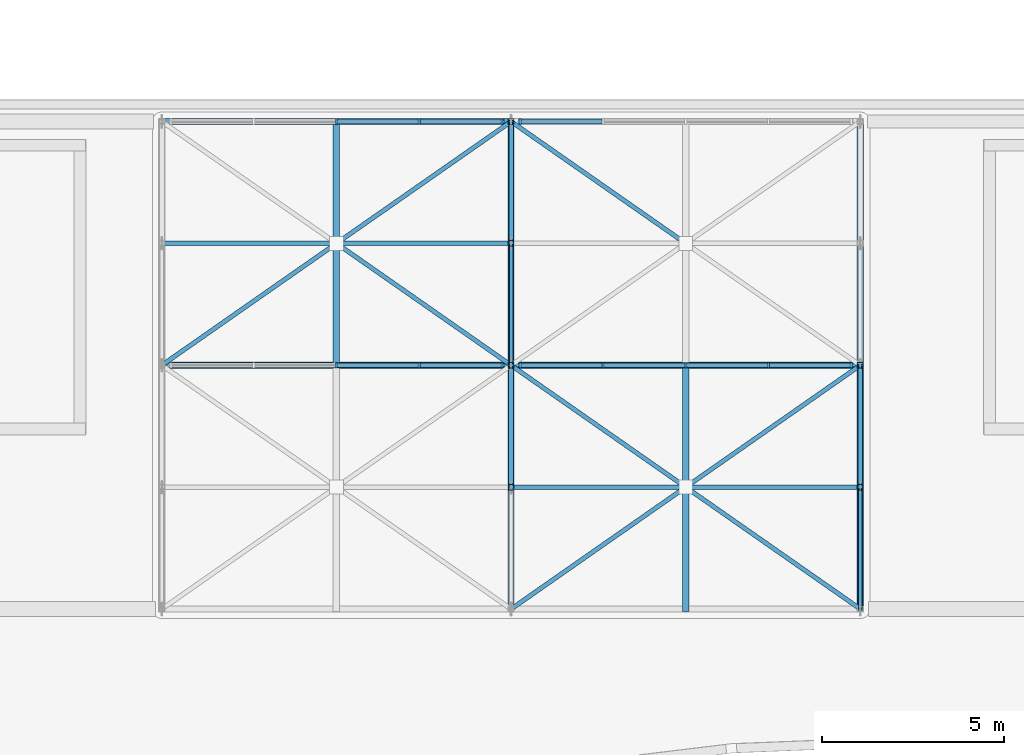
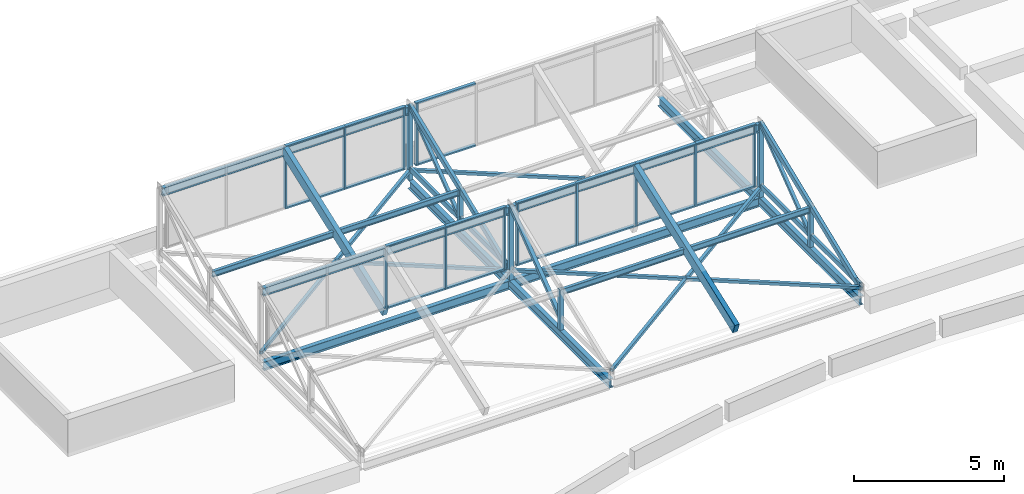
# One storey, part 15 of 40: 51 members, 9 beams, 4 elements without a shape of their own.
"""IFC4 building model written with IfcOpenShell, lengths in metres."""

from ifc_helpers import new_model, si_unit, direction, frame, origin, origin_2d, place, context, subcontext, project, spatial, rectangle, hollow_rectangle, i_section, extrude, material, material_profile, profile_set, type_object, element, aggregate, save


model = new_model("IFC4")

# Units and contexts
model_context = context("Model", 3, precision=1e-05, world=origin(), true_north=direction((0.0, 1.0)))
body_context = subcontext(model_context, "Body", "Model", "MODEL_VIEW")
ifc_project = project(units=[si_unit("LENGTHUNIT", "METRE"), si_unit("AREAUNIT", "SQUARE_METRE"), si_unit("VOLUMEUNIT", "CUBIC_METRE"), si_unit("PLANEANGLEUNIT", "RADIAN"), si_unit("MASSUNIT", "GRAM", prefix="KILO")], contexts=[model_context])

# Site, building, storey
site_placement = place(None, origin())
site = spatial("IfcSite", under=ifc_project, at=site_placement, CompositionType="ELEMENT")
building_placement = place(site_placement, origin())
building = spatial("IfcBuilding", under=site, at=building_placement, Name="Mzevani Central Library", CompositionType="ELEMENT")
storey_placement = place(building_placement, frame((0.0, 0.0, 26.699951171875)))
storey = spatial("IfcBuildingStorey", under=building, at=storey_placement, Name="RF", CompositionType="ELEMENT", Elevation=26.699951171875)

# Members
ifc_material_1 = material(Name="Glulam GL28h", Category="wood")
ifc_material_profile_1 = material_profile(ifc_material_1, rectangle(XDim=0.179931640625, YDim=0.419921875, at=origin_2d()), Name="GL28h 180x420")
ifc_profile_set_1 = profile_set([ifc_material_profile_1], Name="Glulam GL28h")
member_type_1 = type_object("IfcMemberType", Name="Atrium Skylight Rafter GL28h 180x420", PredefinedType="RAFTER", material=ifc_profile_set_1)
for number, where, z_axis, x_axis, name in (
    (1, (78.39990234375, 100.0, -4.099853515625), (0.0, 0.938271881965, 0.345898649194), (-1.0, 0.0, 0.0), "RF Sawtooth Skylight Rafter 1.73"),
    (2, (68.800048828125, 106.699951171875, -4.099853515625), (0.0, 0.938271881965, 0.345898649194), (-1.0, 0.0, 0.0), "RF Sawtooth Skylight Rafter 2.64"),
):
    element("IfcMember", number, at=place(storey_placement, frame(where, z_axis=z_axis, x_axis=x_axis)), inside=storey, type_object=member_type_1, Name=name, PredefinedType="RAFTER", context=body_context, shape_type="SweptSolid", body=[
        extrude(rectangle(XDim=0.179931640625, YDim=0.419921875, at=origin_2d()), origin(), (0.0, 0.0, 1.0), 7.140625),
    ])

# Curtain wall, members
ifc_material_2 = material(Name="Thermally broken aluminium and Low-E triple glazing", Category="aluminium")
curtain_wall_type = type_object("IfcCurtainWallType", Name="Sawtooth Clerestory Curtain Wall", PredefinedType="NOTDEFINED", material=ifc_material_2)
curtain_wall_1_placement = place(storey_placement, origin())
curtain_wall_1 = element("IfcCurtainWall", 3, at=curtain_wall_1_placement, inside=storey, type_object=curtain_wall_type, Name="RF Sawtooth Northlight Clerestory 1.1", PredefinedType="NOTDEFINED")
ifc_material_3 = material(Name="Thermally broken aluminium AW-6060", Category="aluminium")
ifc_material_profile_2 = material_profile(ifc_material_3, rectangle(XDim=0.06005859375, YDim=0.159912109375, at=origin_2d()), Name="ALU M60x160")
ifc_profile_set_2 = profile_set([ifc_material_profile_2], Name="Thermally broken aluminium AW-6060")
member_type_2 = type_object("IfcMemberType", Name="CW Mullion 60x160", PredefinedType="MULLION", material=ifc_profile_set_2)
member_1_placement = place(storey_placement, frame((68.800048828125, 106.699951171875, -3.949951171875), z_axis=(0.0, 0.0, 1.0), x_axis=(1.0, 0.0, 0.0)))
member_1 = element("IfcMember", 4, at=member_1_placement, type_object=member_type_2, Name="RF Sawtooth Northlight Clerestory 1.1 Mullion 3", PredefinedType="MULLION", context=body_context, shape_type="SweptSolid", body=[
    extrude(rectangle(XDim=0.06005859375, YDim=0.159912109375, at=origin_2d()), origin(), (0.0, 0.0, 1.0), 2.5),
])
member_2_placement = place(storey_placement, frame((71.074951171875, 106.699951171875, -3.949951171875), z_axis=(0.0, 0.0, 1.0), x_axis=(1.0, 0.0, 0.0)))
member_2 = element("IfcMember", 5, at=member_2_placement, type_object=member_type_2, Name="RF Sawtooth Northlight Clerestory 1.1 Mullion 4", PredefinedType="MULLION", context=body_context, shape_type="SweptSolid", body=[
    extrude(rectangle(XDim=0.06005859375, YDim=0.159912109375, at=origin_2d()), origin(), (0.0, 0.0, 1.0), 2.5),
])
member_3_placement = place(storey_placement, frame((73.35009765625, 106.699951171875, -3.949951171875), z_axis=(0.0, 0.0, 1.0), x_axis=(1.0, 0.0, 0.0)))
member_3 = element("IfcMember", 6, at=member_3_placement, type_object=member_type_2, Name="RF Sawtooth Northlight Clerestory 1.1 Mullion 5", PredefinedType="MULLION", context=body_context, shape_type="SweptSolid", body=[
    extrude(rectangle(XDim=0.06005859375, YDim=0.159912109375, at=origin_2d()), origin(), (0.0, 0.0, 1.0), 2.5),
])

curtain_wall_2_placement = place(storey_placement, origin())
curtain_wall_2 = element("IfcCurtainWall", 7, at=curtain_wall_2_placement, inside=storey, type_object=curtain_wall_type, Name="RF Sawtooth Northlight Clerestory 1.2", PredefinedType="NOTDEFINED")
member_4_placement = place(storey_placement, frame((73.85009765625, 106.699951171875, -3.949951171875), z_axis=(0.0, 0.0, 1.0), x_axis=(1.0, 0.0, 0.0)))
member_4 = element("IfcMember", 8, at=member_4_placement, type_object=member_type_2, Name="RF Sawtooth Northlight Clerestory 1.2 Mullion 1", PredefinedType="MULLION", context=body_context, shape_type="SweptSolid", body=[
    extrude(rectangle(XDim=0.06005859375, YDim=0.159912109375, at=origin_2d()), origin(), (0.0, 0.0, 1.0), 2.5),
])
member_5_placement = place(storey_placement, frame((76.125, 106.699951171875, -3.949951171875), z_axis=(0.0, 0.0, 1.0), x_axis=(1.0, 0.0, 0.0)))
member_5 = element("IfcMember", 9, at=member_5_placement, type_object=member_type_2, Name="RF Sawtooth Northlight Clerestory 1.2 Mullion 2", PredefinedType="MULLION", context=body_context, shape_type="SweptSolid", body=[
    extrude(rectangle(XDim=0.06005859375, YDim=0.159912109375, at=origin_2d()), origin(), (0.0, 0.0, 1.0), 2.5),
])
member_6_placement = place(storey_placement, frame((78.39990234375, 106.699951171875, -3.949951171875), z_axis=(0.0, 0.0, 1.0), x_axis=(1.0, 0.0, 0.0)))
member_6 = element("IfcMember", 10, at=member_6_placement, type_object=member_type_2, Name="RF Sawtooth Northlight Clerestory 1.2 Mullion 3", PredefinedType="MULLION", context=body_context, shape_type="SweptSolid", body=[
    extrude(rectangle(XDim=0.06005859375, YDim=0.159912109375, at=origin_2d()), origin(), (0.0, 0.0, 1.0), 2.5),
])
member_7_placement = place(storey_placement, frame((80.675048828125, 106.699951171875, -3.949951171875), z_axis=(0.0, 0.0, 1.0), x_axis=(1.0, 0.0, 0.0)))
member_7 = element("IfcMember", 11, at=member_7_placement, type_object=member_type_2, Name="RF Sawtooth Northlight Clerestory 1.2 Mullion 4", PredefinedType="MULLION", context=body_context, shape_type="SweptSolid", body=[
    extrude(rectangle(XDim=0.06005859375, YDim=0.159912109375, at=origin_2d()), origin(), (0.0, 0.0, 1.0), 2.5),
])
member_8_placement = place(storey_placement, frame((82.949951171875, 106.699951171875, -3.949951171875), z_axis=(0.0, 0.0, 1.0), x_axis=(1.0, 0.0, 0.0)))
member_8 = element("IfcMember", 12, at=member_8_placement, type_object=member_type_2, Name="RF Sawtooth Northlight Clerestory 1.2 Mullion 5", PredefinedType="MULLION", context=body_context, shape_type="SweptSolid", body=[
    extrude(rectangle(XDim=0.06005859375, YDim=0.159912109375, at=origin_2d()), origin(), (0.0, 0.0, 1.0), 2.5),
])

curtain_wall_3_placement = place(storey_placement, origin())
curtain_wall_3 = element("IfcCurtainWall", 13, at=curtain_wall_3_placement, inside=storey, type_object=curtain_wall_type, Name="RF Sawtooth Northlight Clerestory 2.1", PredefinedType="NOTDEFINED")
member_9_placement = place(storey_placement, frame((68.800048828125, 113.39990234375, -3.949951171875), z_axis=(0.0, 0.0, 1.0), x_axis=(1.0, 0.0, 0.0)))
member_9 = element("IfcMember", 14, at=member_9_placement, type_object=member_type_2, Name="RF Sawtooth Northlight Clerestory 2.1 Mullion 3", PredefinedType="MULLION", context=body_context, shape_type="SweptSolid", body=[
    extrude(rectangle(XDim=0.06005859375, YDim=0.159912109375, at=origin_2d()), origin(), (0.0, 0.0, 1.0), 2.5),
])
member_10_placement = place(storey_placement, frame((71.074951171875, 113.39990234375, -3.949951171875), z_axis=(0.0, 0.0, 1.0), x_axis=(1.0, 0.0, 0.0)))
member_10 = element("IfcMember", 15, at=member_10_placement, type_object=member_type_2, Name="RF Sawtooth Northlight Clerestory 2.1 Mullion 4", PredefinedType="MULLION", context=body_context, shape_type="SweptSolid", body=[
    extrude(rectangle(XDim=0.06005859375, YDim=0.159912109375, at=origin_2d()), origin(), (0.0, 0.0, 1.0), 2.5),
])
member_11_placement = place(storey_placement, frame((73.35009765625, 113.39990234375, -3.949951171875), z_axis=(0.0, 0.0, 1.0), x_axis=(1.0, 0.0, 0.0)))
member_11 = element("IfcMember", 16, at=member_11_placement, type_object=member_type_2, Name="RF Sawtooth Northlight Clerestory 2.1 Mullion 5", PredefinedType="MULLION", context=body_context, shape_type="SweptSolid", body=[
    extrude(rectangle(XDim=0.06005859375, YDim=0.159912109375, at=origin_2d()), origin(), (0.0, 0.0, 1.0), 2.5),
])

# Curtain wall, member
curtain_wall_4_placement = place(storey_placement, origin())
curtain_wall_4 = element("IfcCurtainWall", 17, at=curtain_wall_4_placement, inside=storey, type_object=curtain_wall_type, Name="RF Sawtooth Northlight Clerestory 2.2", PredefinedType="NOTDEFINED")
member_12_placement = place(storey_placement, frame((73.85009765625, 113.39990234375, -3.949951171875), z_axis=(0.0, 0.0, 1.0), x_axis=(1.0, 0.0, 0.0)))
member_12 = element("IfcMember", 18, at=member_12_placement, type_object=member_type_2, Name="RF Sawtooth Northlight Clerestory 2.2 Mullion 1", PredefinedType="MULLION", context=body_context, shape_type="SweptSolid", body=[
    extrude(rectangle(XDim=0.06005859375, YDim=0.159912109375, at=origin_2d()), origin(), (0.0, 0.0, 1.0), 2.5),
])

# Member
ifc_material_profile_3 = material_profile(ifc_material_3, rectangle(XDim=0.1298828125, YDim=0.06005859375, at=origin_2d()), Name="ALU T60x130")
ifc_profile_set_3 = profile_set([ifc_material_profile_3], Name="Thermally broken aluminium AW-6060")
member_type_3 = type_object("IfcMemberType", Name="CW Transom 60x130", PredefinedType="USERDEFINED", material=ifc_profile_set_3)
member_13_placement = place(storey_placement, frame((68.800048828125, 106.699951171875, -3.949951171875), z_axis=(1.0, 0.0, 0.0), x_axis=(0.0, 1.0, 0.0)))
member_13 = element("IfcMember", 19, at=member_13_placement, type_object=member_type_3, Name="RF Sawtooth Northlight Clerestory 1.1 Transom 5", ObjectType="TRANSOM", PredefinedType="USERDEFINED", context=body_context, shape_type="SweptSolid", body=[
    extrude(rectangle(XDim=0.1298828125, YDim=0.06005859375, at=origin_2d()), origin(), (0.0, 0.0, 1.0), 2.300048828125),
])

member_14_placement = place(storey_placement, frame((68.800048828125, 106.699951171875, -1.449951171875), z_axis=(1.0, 0.0, 0.0), x_axis=(0.0, 1.0, 0.0)))
member_14 = element("IfcMember", 20, at=member_14_placement, type_object=member_type_3, Name="RF Sawtooth Northlight Clerestory 1.1 Transom 6", ObjectType="TRANSOM", PredefinedType="USERDEFINED", context=body_context, shape_type="SweptSolid", body=[
    extrude(rectangle(XDim=0.1298828125, YDim=0.06005859375, at=origin_2d()), origin(), (0.0, 0.0, 1.0), 2.300048828125),
])

member_15_placement = place(storey_placement, frame((71.10009765625, 106.699951171875, -3.949951171875), z_axis=(1.0, 0.0, 0.0), x_axis=(0.0, 1.0, 0.0)))
member_15 = element("IfcMember", 21, at=member_15_placement, type_object=member_type_3, Name="RF Sawtooth Northlight Clerestory 1.1 Transom 7", ObjectType="TRANSOM", PredefinedType="USERDEFINED", context=body_context, shape_type="SweptSolid", body=[
    extrude(rectangle(XDim=0.1298828125, YDim=0.06005859375, at=origin_2d()), origin(), (0.0, 0.0, 1.0), 2.2998046875),
])

member_16_placement = place(storey_placement, frame((71.10009765625, 106.699951171875, -1.449951171875), z_axis=(1.0, 0.0, 0.0), x_axis=(0.0, 1.0, 0.0)))
member_16 = element("IfcMember", 22, at=member_16_placement, type_object=member_type_3, Name="RF Sawtooth Northlight Clerestory 1.1 Transom 8", ObjectType="TRANSOM", PredefinedType="USERDEFINED", context=body_context, shape_type="SweptSolid", body=[
    extrude(rectangle(XDim=0.1298828125, YDim=0.06005859375, at=origin_2d()), origin(), (0.0, 0.0, 1.0), 2.2998046875),
])

aggregate(curtain_wall_1, [member_1, member_2, member_3, member_13, member_14, member_15, member_16])

member_17_placement = place(storey_placement, frame((73.800048828125, 106.699951171875, -3.949951171875), z_axis=(1.0, 0.0, 0.0), x_axis=(0.0, 1.0, 0.0)))
member_17 = element("IfcMember", 23, at=member_17_placement, type_object=member_type_3, Name="RF Sawtooth Northlight Clerestory 1.2 Transom 1", ObjectType="TRANSOM", PredefinedType="USERDEFINED", context=body_context, shape_type="SweptSolid", body=[
    extrude(rectangle(XDim=0.1298828125, YDim=0.06005859375, at=origin_2d()), origin(), (0.0, 0.0, 1.0), 2.300048828125),
])

member_18_placement = place(storey_placement, frame((73.800048828125, 106.699951171875, -1.449951171875), z_axis=(1.0, 0.0, 0.0), x_axis=(0.0, 1.0, 0.0)))
member_18 = element("IfcMember", 24, at=member_18_placement, type_object=member_type_3, Name="RF Sawtooth Northlight Clerestory 1.2 Transom 2", ObjectType="TRANSOM", PredefinedType="USERDEFINED", context=body_context, shape_type="SweptSolid", body=[
    extrude(rectangle(XDim=0.1298828125, YDim=0.06005859375, at=origin_2d()), origin(), (0.0, 0.0, 1.0), 2.300048828125),
])

member_19_placement = place(storey_placement, frame((76.10009765625, 106.699951171875, -3.949951171875), z_axis=(1.0, 0.0, 0.0), x_axis=(0.0, 1.0, 0.0)))
member_19 = element("IfcMember", 25, at=member_19_placement, type_object=member_type_3, Name="RF Sawtooth Northlight Clerestory 1.2 Transom 3", ObjectType="TRANSOM", PredefinedType="USERDEFINED", context=body_context, shape_type="SweptSolid", body=[
    extrude(rectangle(XDim=0.1298828125, YDim=0.06005859375, at=origin_2d()), origin(), (0.0, 0.0, 1.0), 2.2998046875),
])

member_20_placement = place(storey_placement, frame((76.10009765625, 106.699951171875, -1.449951171875), z_axis=(1.0, 0.0, 0.0), x_axis=(0.0, 1.0, 0.0)))
member_20 = element("IfcMember", 26, at=member_20_placement, type_object=member_type_3, Name="RF Sawtooth Northlight Clerestory 1.2 Transom 4", ObjectType="TRANSOM", PredefinedType="USERDEFINED", context=body_context, shape_type="SweptSolid", body=[
    extrude(rectangle(XDim=0.1298828125, YDim=0.06005859375, at=origin_2d()), origin(), (0.0, 0.0, 1.0), 2.2998046875),
])

member_21_placement = place(storey_placement, frame((78.39990234375, 106.699951171875, -3.949951171875), z_axis=(1.0, 0.0, 0.0), x_axis=(0.0, 1.0, 0.0)))
member_21 = element("IfcMember", 27, at=member_21_placement, type_object=member_type_3, Name="RF Sawtooth Northlight Clerestory 1.2 Transom 5", ObjectType="TRANSOM", PredefinedType="USERDEFINED", context=body_context, shape_type="SweptSolid", body=[
    extrude(rectangle(XDim=0.1298828125, YDim=0.06005859375, at=origin_2d()), origin(), (0.0, 0.0, 1.0), 2.300048828125),
])

member_22_placement = place(storey_placement, frame((78.39990234375, 106.699951171875, -1.449951171875), z_axis=(1.0, 0.0, 0.0), x_axis=(0.0, 1.0, 0.0)))
member_22 = element("IfcMember", 28, at=member_22_placement, type_object=member_type_3, Name="RF Sawtooth Northlight Clerestory 1.2 Transom 6", ObjectType="TRANSOM", PredefinedType="USERDEFINED", context=body_context, shape_type="SweptSolid", body=[
    extrude(rectangle(XDim=0.1298828125, YDim=0.06005859375, at=origin_2d()), origin(), (0.0, 0.0, 1.0), 2.300048828125),
])

member_23_placement = place(storey_placement, frame((80.699951171875, 106.699951171875, -3.949951171875), z_axis=(1.0, 0.0, 0.0), x_axis=(0.0, 1.0, 0.0)))
member_23 = element("IfcMember", 29, at=member_23_placement, type_object=member_type_3, Name="RF Sawtooth Northlight Clerestory 1.2 Transom 7", ObjectType="TRANSOM", PredefinedType="USERDEFINED", context=body_context, shape_type="SweptSolid", body=[
    extrude(rectangle(XDim=0.1298828125, YDim=0.06005859375, at=origin_2d()), origin(), (0.0, 0.0, 1.0), 2.300048828125),
])

member_24_placement = place(storey_placement, frame((80.699951171875, 106.699951171875, -1.449951171875), z_axis=(1.0, 0.0, 0.0), x_axis=(0.0, 1.0, 0.0)))
member_24 = element("IfcMember", 30, at=member_24_placement, type_object=member_type_3, Name="RF Sawtooth Northlight Clerestory 1.2 Transom 8", ObjectType="TRANSOM", PredefinedType="USERDEFINED", context=body_context, shape_type="SweptSolid", body=[
    extrude(rectangle(XDim=0.1298828125, YDim=0.06005859375, at=origin_2d()), origin(), (0.0, 0.0, 1.0), 2.300048828125),
])

aggregate(curtain_wall_2, [member_4, member_5, member_6, member_7, member_8, member_17, member_18, member_19, member_20, member_21, member_22, member_23, member_24])

member_25_placement = place(storey_placement, frame((68.800048828125, 113.39990234375, -3.949951171875), z_axis=(1.0, 0.0, 0.0), x_axis=(0.0, 1.0, 0.0)))
member_25 = element("IfcMember", 31, at=member_25_placement, type_object=member_type_3, Name="RF Sawtooth Northlight Clerestory 2.1 Transom 5", ObjectType="TRANSOM", PredefinedType="USERDEFINED", context=body_context, shape_type="SweptSolid", body=[
    extrude(rectangle(XDim=0.1298828125, YDim=0.06005859375, at=origin_2d()), origin(), (0.0, 0.0, 1.0), 2.300048828125),
])

member_26_placement = place(storey_placement, frame((68.800048828125, 113.39990234375, -1.449951171875), z_axis=(1.0, 0.0, 0.0), x_axis=(0.0, 1.0, 0.0)))
member_26 = element("IfcMember", 32, at=member_26_placement, type_object=member_type_3, Name="RF Sawtooth Northlight Clerestory 2.1 Transom 6", ObjectType="TRANSOM", PredefinedType="USERDEFINED", context=body_context, shape_type="SweptSolid", body=[
    extrude(rectangle(XDim=0.1298828125, YDim=0.06005859375, at=origin_2d()), origin(), (0.0, 0.0, 1.0), 2.300048828125),
])

member_27_placement = place(storey_placement, frame((71.10009765625, 113.39990234375, -3.949951171875), z_axis=(1.0, 0.0, 0.0), x_axis=(0.0, 1.0, 0.0)))
member_27 = element("IfcMember", 33, at=member_27_placement, type_object=member_type_3, Name="RF Sawtooth Northlight Clerestory 2.1 Transom 7", ObjectType="TRANSOM", PredefinedType="USERDEFINED", context=body_context, shape_type="SweptSolid", body=[
    extrude(rectangle(XDim=0.1298828125, YDim=0.06005859375, at=origin_2d()), origin(), (0.0, 0.0, 1.0), 2.2998046875),
])

member_28_placement = place(storey_placement, frame((71.10009765625, 113.39990234375, -1.449951171875), z_axis=(1.0, 0.0, 0.0), x_axis=(0.0, 1.0, 0.0)))
member_28 = element("IfcMember", 34, at=member_28_placement, type_object=member_type_3, Name="RF Sawtooth Northlight Clerestory 2.1 Transom 8", ObjectType="TRANSOM", PredefinedType="USERDEFINED", context=body_context, shape_type="SweptSolid", body=[
    extrude(rectangle(XDim=0.1298828125, YDim=0.06005859375, at=origin_2d()), origin(), (0.0, 0.0, 1.0), 2.2998046875),
])

aggregate(curtain_wall_3, [member_9, member_10, member_11, member_25, member_26, member_27, member_28])

member_29_placement = place(storey_placement, frame((73.800048828125, 113.39990234375, -3.949951171875), z_axis=(1.0, 0.0, 0.0), x_axis=(0.0, 1.0, 0.0)))
member_29 = element("IfcMember", 35, at=member_29_placement, type_object=member_type_3, Name="RF Sawtooth Northlight Clerestory 2.2 Transom 1", ObjectType="TRANSOM", PredefinedType="USERDEFINED", context=body_context, shape_type="SweptSolid", body=[
    extrude(rectangle(XDim=0.1298828125, YDim=0.06005859375, at=origin_2d()), origin(), (0.0, 0.0, 1.0), 2.300048828125),
])

member_30_placement = place(storey_placement, frame((73.800048828125, 113.39990234375, -1.449951171875), z_axis=(1.0, 0.0, 0.0), x_axis=(0.0, 1.0, 0.0)))
member_30 = element("IfcMember", 36, at=member_30_placement, type_object=member_type_3, Name="RF Sawtooth Northlight Clerestory 2.2 Transom 2", ObjectType="TRANSOM", PredefinedType="USERDEFINED", context=body_context, shape_type="SweptSolid", body=[
    extrude(rectangle(XDim=0.1298828125, YDim=0.06005859375, at=origin_2d()), origin(), (0.0, 0.0, 1.0), 2.300048828125),
])

aggregate(curtain_wall_4, [member_12, member_29, member_30])

# Members
ifc_material_4 = material(Name="Steel S355J2", Category="steel")
ifc_material_profile_4 = material_profile(ifc_material_4, hollow_rectangle(XDim=0.1201171875, YDim=0.1201171875, WallThickness=0.008056640625, at=origin_2d()), Name="SHS 120x120x8.0")
ifc_profile_set_4 = profile_set([ifc_material_profile_4], Name="Steel S355J2")
member_type_4 = type_object("IfcMemberType", Name="Roof Plan Brace SHS 120x120", PredefinedType="BRACE", material=ifc_profile_set_4)
member_31_placement = place(storey_placement, frame((83.199951171875, 103.35009765625, -4.02001953125), z_axis=(0.0, 0.795685909111, 0.605709446882), x_axis=(-1.0, 0.0, 0.0)))
element("IfcMember", 37, at=member_31_placement, inside=storey, type_object=member_type_4, Name="RF Sawtooth Web Diagonal 1.3", PredefinedType="BRACE", context=body_context, shape_type="SweptSolid", body=[
    extrude(hollow_rectangle(XDim=0.1201171875, YDim=0.1201171875, WallThickness=0.008056640625, at=origin_2d()), origin(), (0.0, 0.0, 1.0), 4.2099609375),
])
member_32_placement = place(storey_placement, frame((73.60009765625, 100.0, -4.099853515625), z_axis=(0.820031582841, 0.572318270845, 0.0), x_axis=(-0.572318270845, 0.820031582841, 0.0)))
element("IfcMember", 38, at=member_32_placement, inside=storey, type_object=member_type_4, Name="RF Sawtooth Plan X-Brace Continuous 1.73", PredefinedType="BRACE", context=body_context, shape_type="SweptSolid", body=[
    extrude(hollow_rectangle(XDim=0.1201171875, YDim=0.1201171875, WallThickness=0.008056640625, at=origin_2d()), origin(), (0.0, 0.0, 1.0), 11.706787109375),
])
member_33_placement = place(storey_placement, frame((83.199951171875, 100.0, -4.099853515625), z_axis=(-0.820028626313, 0.572322507007, 0.0), x_axis=(-0.572322507007, -0.820028626313, 0.0)))
element("IfcMember", 39, at=member_33_placement, inside=storey, type_object=member_type_4, Name="RF Sawtooth Plan X-Brace Split 1 1.73", PredefinedType="BRACE", context=body_context, shape_type="SweptSolid", body=[
    extrude(hollow_rectangle(XDim=0.1201171875, YDim=0.1201171875, WallThickness=0.008056640625, at=origin_2d()), origin(), (0.0, 0.0, 1.0), 5.853515625),
])
member_34_placement = place(storey_placement, frame((78.39990234375, 103.35009765625, -4.099853515625), z_axis=(-0.820034539519, 0.572314034422, 0.0), x_axis=(-0.572314034422, -0.820034539519, 0.0)))
element("IfcMember", 40, at=member_34_placement, inside=storey, type_object=member_type_4, Name="RF Sawtooth Plan X-Brace Split 2 1.73", PredefinedType="BRACE", context=body_context, shape_type="SweptSolid", body=[
    extrude(hollow_rectangle(XDim=0.1201171875, YDim=0.1201171875, WallThickness=0.008056640625, at=origin_2d()), origin(), (0.0, 0.0, 1.0), 5.853271484375),
])
member_35_placement = place(storey_placement, frame((73.60009765625, 110.050048828125, -4.02001953125), z_axis=(0.0, 0.795685909111, 0.605709446882), x_axis=(-1.0, 0.0, 0.0)))
element("IfcMember", 41, at=member_35_placement, inside=storey, type_object=member_type_4, Name="RF Sawtooth Web Diagonal 2.2", PredefinedType="BRACE", context=body_context, shape_type="SweptSolid", body=[
    extrude(hollow_rectangle(XDim=0.1201171875, YDim=0.1201171875, WallThickness=0.008056640625, at=origin_2d()), origin(), (0.0, 0.0, 1.0), 4.2099609375),
])
member_36_placement = place(storey_placement, frame((64.0, 106.699951171875, -4.099853515625), z_axis=(0.820038413618, 0.572308483417, 0.0), x_axis=(-0.572308483417, 0.820038413618, 0.0)))
element("IfcMember", 42, at=member_36_placement, inside=storey, type_object=member_type_4, Name="RF Sawtooth Plan X-Brace Continuous 2.64", PredefinedType="BRACE", context=body_context, shape_type="SweptSolid", body=[
    extrude(hollow_rectangle(XDim=0.1201171875, YDim=0.1201171875, WallThickness=0.008056640625, at=origin_2d()), origin(), (0.0, 0.0, 1.0), 11.706787109375),
])
member_37_placement = place(storey_placement, frame((73.60009765625, 106.699951171875, -4.099853515625), z_axis=(-0.820028626313, 0.572322507007, 0.0), x_axis=(-0.572322507007, -0.820028626313, 0.0)))
element("IfcMember", 43, at=member_37_placement, inside=storey, type_object=member_type_4, Name="RF Sawtooth Plan X-Brace Split 1 2.64", PredefinedType="BRACE", context=body_context, shape_type="SweptSolid", body=[
    extrude(hollow_rectangle(XDim=0.1201171875, YDim=0.1201171875, WallThickness=0.008056640625, at=origin_2d()), origin(), (0.0, 0.0, 1.0), 5.853515625),
])
member_38_placement = place(storey_placement, frame((78.39990234375, 110.050048828125, -4.099853515625), z_axis=(-0.820034539519, 0.572314034422, 0.0), x_axis=(-0.572314034422, -0.820034539519, 0.0)))
element("IfcMember", 44, at=member_38_placement, inside=storey, type_object=member_type_4, Name="RF Sawtooth Plan X-Brace Split 2 2.73", PredefinedType="BRACE", context=body_context, shape_type="SweptSolid", body=[
    extrude(hollow_rectangle(XDim=0.1201171875, YDim=0.1201171875, WallThickness=0.008056640625, at=origin_2d()), origin(), (0.0, 0.0, 1.0), 5.853271484375),
])
ifc_material_profile_5 = material_profile(ifc_material_4, hollow_rectangle(XDim=0.139892578125, YDim=0.139892578125, WallThickness=0.008056640625, at=origin_2d()), Name="SHS 140x140x8.0")
ifc_profile_set_5 = profile_set([ifc_material_profile_5], Name="Steel S355J2")
member_type_5 = type_object("IfcMemberType", Name="Roof Plan Brace SHS 140x140", PredefinedType="BRACE", material=ifc_profile_set_5)
member_39_placement = place(storey_placement, frame((73.60009765625, 103.35009765625, -4.02001953125), z_axis=(0.0, 0.795685909111, 0.605709446882), x_axis=(-1.0, 0.0, 0.0)))
element("IfcMember", 45, at=member_39_placement, inside=storey, type_object=member_type_5, Name="RF Sawtooth Web Diagonal 1.2", PredefinedType="BRACE", context=body_context, shape_type="SweptSolid", body=[
    extrude(hollow_rectangle(XDim=0.139892578125, YDim=0.139892578125, WallThickness=0.008056640625, at=origin_2d()), origin(), (0.0, 0.0, 1.0), 4.2099609375),
])

# Beams
ifc_material_profile_6 = material_profile(ifc_material_4, i_section(OverallWidth=0.1201171875, OverallDepth=0.239990234375, WebThickness=0.006103515625, FlangeThickness=0.009765625, FilletRadius=0.014892578125, at=origin_2d()), Name="IPE 240")
ifc_profile_set_6 = profile_set([ifc_material_profile_6], Name="Steel S355J2")
beam_type_1 = type_object("IfcBeamType", Name="Roof Purlin Steel IPE 240", PredefinedType="JOIST", material=ifc_profile_set_6)
for number, where, z_axis, x_axis, name in (
    (46, (73.669921875, 103.35009765625, -2.949951171875), (1.0, 0.0, 0.0), (0.0, 1.0, 0.0), "RF Sawtooth Mid Purlin 1.73"),
    (47, (64.070068359375, 110.050048828125, -2.949951171875), (1.0, 0.0, 0.0), (0.0, 1.0, 0.0), "RF Sawtooth Mid Purlin 2.64"),
):
    element("IfcBeam", number, at=place(storey_placement, frame(where, z_axis=z_axis, x_axis=x_axis)), inside=storey, type_object=beam_type_1, Name=name, PredefinedType="JOIST", context=body_context, shape_type="SweptSolid", body=[
        extrude(i_section(OverallWidth=0.1201171875, OverallDepth=0.239990234375, WebThickness=0.006103515625, FlangeThickness=0.009765625, FilletRadius=0.014892578125, at=origin_2d()), origin(), (0.0, 0.0, 1.0), 9.4599609375),
    ])
ifc_material_profile_7 = material_profile(ifc_material_4, i_section(OverallWidth=0.169921875, OverallDepth=0.360107421875, WebThickness=0.008056640625, FlangeThickness=0.0126953125, FilletRadius=0.01806640625, at=origin_2d()), Name="IPE 360")
ifc_profile_set_7 = profile_set([ifc_material_profile_7], Name="Steel S355J2")
beam_type_2 = type_object("IfcBeamType", Name="Sawtooth Girder Steel IPE 360", PredefinedType="BEAM", material=ifc_profile_set_7)
for number, where, z_axis, x_axis, name in (
    (48, (73.60009765625, 100.0, -4.639892578125), (0.0, 1.0, 0.0), (-1.0, 0.0, 0.0), "RF Sawtooth Primary Tie Girder 2"),
    (49, (83.199951171875, 100.0, -4.639892578125), (0.0, 1.0, 0.0), (-1.0, 0.0, 0.0), "RF Sawtooth Primary Tie Girder 3"),
):
    element("IfcBeam", number, at=place(storey_placement, frame(where, z_axis=z_axis, x_axis=x_axis)), inside=storey, type_object=beam_type_2, Name=name, PredefinedType="BEAM", context=body_context, shape_type="SweptSolid", body=[
        extrude(i_section(OverallWidth=0.169921875, OverallDepth=0.360107421875, WebThickness=0.008056640625, FlangeThickness=0.0126953125, FilletRadius=0.01806640625, at=origin_2d()), origin(), (0.0, 0.0, 1.0), 13.39990234375),
    ])
for number, where, z_axis, x_axis, name in (
    (50, (64.0849609375, 106.699951171875, -4.639892578125), (1.0, 0.0, 0.0), (0.0, 1.0, 0.0), "RF Sawtooth Valley Girder 2.64"),
    (51, (73.68505859375, 106.699951171875, -4.639892578125), (1.0, 0.0, 0.0), (0.0, 1.0, 0.0), "RF Sawtooth Valley Girder 2.73"),
):
    element("IfcBeam", number, at=place(storey_placement, frame(where, z_axis=z_axis, x_axis=x_axis)), inside=storey, type_object=beam_type_2, Name=name, PredefinedType="BEAM", context=body_context, shape_type="SweptSolid", body=[
        extrude(i_section(OverallWidth=0.169921875, OverallDepth=0.360107421875, WebThickness=0.008056640625, FlangeThickness=0.0126953125, FilletRadius=0.01806640625, at=origin_2d()), origin(), (0.0, 0.0, 1.0), 9.429931640625),
    ])
ifc_material_profile_8 = material_profile(ifc_material_4, i_section(OverallWidth=0.159912109375, OverallDepth=0.330078125, WebThickness=0.007568359375, FlangeThickness=0.011474609375, FilletRadius=0.01806640625, at=origin_2d()), Name="IPE 330")
ifc_profile_set_8 = profile_set([ifc_material_profile_8], Name="Steel S355J2")
beam_type_3 = type_object("IfcBeamType", Name="Sawtooth Rafter Beam IPE 330", PredefinedType="BEAM", material=ifc_profile_set_8)
for number, where, z_axis, x_axis, name in (
    (52, (64.070068359375, 106.699951171875, -1.6298828125), (1.0, 0.0, 0.0), (0.0, 1.0, 0.0), "RF Sawtooth Ridge Beam 1.64"),
    (53, (73.669921875, 106.699951171875, -1.6298828125), (1.0, 0.0, 0.0), (0.0, 1.0, 0.0), "RF Sawtooth Ridge Beam 1.73"),
    (54, (64.070068359375, 113.39990234375, -1.6298828125), (1.0, 0.0, 0.0), (0.0, 1.0, 0.0), "RF Sawtooth Ridge Beam 2.64"),
):
    element("IfcBeam", number, at=place(storey_placement, frame(where, z_axis=z_axis, x_axis=x_axis)), inside=storey, type_object=beam_type_3, Name=name, PredefinedType="BEAM", context=body_context, shape_type="SweptSolid", body=[
        extrude(i_section(OverallWidth=0.159912109375, OverallDepth=0.330078125, WebThickness=0.007568359375, FlangeThickness=0.011474609375, FilletRadius=0.01806640625, at=origin_2d()), origin(), (0.0, 0.0, 1.0), 9.4599609375),
    ])

# Members
ifc_material_profile_9 = material_profile(ifc_material_4, hollow_rectangle(XDim=0.10009765625, YDim=0.199951171875, WallThickness=0.010009765625, at=origin_2d()), Name="RHS 200x100x10.0")
ifc_profile_set_9 = profile_set([ifc_material_profile_9], Name="Steel S355J2")
member_type_6 = type_object("IfcMemberType", Name="Sawtooth Truss Chord RHS 200x100", PredefinedType="CHORD", material=ifc_profile_set_9)
for number, where, z_axis, x_axis, name in (
    (55, (83.199951171875, 100.0, -4.02001953125), (0.0, 1.0, 0.0), (-1.0, 0.0, 0.0), "RF Sawtooth Bottom Chord 1.3"),
    (56, (73.60009765625, 106.699951171875, -4.02001953125), (0.0, 1.0, 0.0), (-1.0, 0.0, 0.0), "RF Sawtooth Bottom Chord 2.2"),
):
    element("IfcMember", number, at=place(storey_placement, frame(where, z_axis=z_axis, x_axis=x_axis)), inside=storey, type_object=member_type_6, Name=name, PredefinedType="CHORD", context=body_context, shape_type="SweptSolid", body=[
        extrude(hollow_rectangle(XDim=0.10009765625, YDim=0.199951171875, WallThickness=0.010009765625, at=origin_2d()), origin(), (0.0, 0.0, 1.0), 6.699951171875),
    ])
ifc_material_profile_10 = material_profile(ifc_material_4, hollow_rectangle(XDim=0.1201171875, YDim=0.219970703125, WallThickness=0.010009765625, at=origin_2d()), Name="RHS 220x120x10.0")
ifc_profile_set_10 = profile_set([ifc_material_profile_10], Name="Steel S355J2")
member_type_7 = type_object("IfcMemberType", Name="Sawtooth Truss Chord RHS 220x120", PredefinedType="CHORD", material=ifc_profile_set_10)
for number, where, z_axis, x_axis, name in (
    (57, (83.199951171875, 100.0, -4.169921875), (0.0, 0.927520293405, 0.373772799066), (-1.0, 0.0, 0.0), "RF Sawtooth Top Rafter 1.3"),
    (58, (73.60009765625, 106.699951171875, -4.169921875), (0.0, 0.927520293405, 0.373772799066), (-1.0, 0.0, 0.0), "RF Sawtooth Top Rafter 2.2"),
):
    element("IfcMember", number, at=place(storey_placement, frame(where, z_axis=z_axis, x_axis=x_axis)), inside=storey, type_object=member_type_7, Name=name, PredefinedType="CHORD", context=body_context, shape_type="SweptSolid", body=[
        extrude(hollow_rectangle(XDim=0.1201171875, YDim=0.219970703125, WallThickness=0.010009765625, at=origin_2d()), origin(), (0.0, 0.0, 1.0), 7.223388671875),
    ])
ifc_material_profile_11 = material_profile(ifc_material_4, hollow_rectangle(XDim=0.159912109375, YDim=0.159912109375, WallThickness=0.010009765625, at=origin_2d()), Name="SHS 160x160x10.0")
ifc_profile_set_11 = profile_set([ifc_material_profile_11], Name="Steel S355J2")
member_type_8 = type_object("IfcMemberType", Name="Truss Vertical Post SHS 160x160", PredefinedType="POST", material=ifc_profile_set_11)
member_40_placement = place(storey_placement, frame((73.60009765625, 106.699951171875, -4.4599609375), z_axis=(0.0, 0.0, 1.0), x_axis=(1.0, 0.0, 0.0)))
element("IfcMember", 59, at=member_40_placement, inside=storey, type_object=member_type_8, Name="RF Sawtooth Ridge Post 1.2", PredefinedType="POST", context=body_context, shape_type="SweptSolid", body=[
    extrude(hollow_rectangle(XDim=0.159912109375, YDim=0.159912109375, WallThickness=0.010009765625, at=origin_2d()), origin(), (0.0, 0.0, 1.0), 2.989990234375),
])
member_41_placement = place(storey_placement, frame((73.60009765625, 103.35009765625, -4.4599609375), z_axis=(0.0, 0.0, 1.0), x_axis=(1.0, 0.0, 0.0)))
element("IfcMember", 60, at=member_41_placement, inside=storey, type_object=member_type_8, Name="RF Sawtooth Mid Post 1.2", PredefinedType="POST", context=body_context, shape_type="SweptSolid", body=[
    extrude(hollow_rectangle(XDim=0.159912109375, YDim=0.159912109375, WallThickness=0.010009765625, at=origin_2d()), origin(), (0.0, 0.0, 1.0), 1.639892578125),
])
member_42_placement = place(storey_placement, frame((83.199951171875, 106.699951171875, -4.4599609375), z_axis=(0.0, 0.0, 1.0), x_axis=(1.0, 0.0, 0.0)))
element("IfcMember", 61, at=member_42_placement, inside=storey, type_object=member_type_8, Name="RF Sawtooth Ridge Post 1.3", PredefinedType="POST", context=body_context, shape_type="SweptSolid", body=[
    extrude(hollow_rectangle(XDim=0.159912109375, YDim=0.159912109375, WallThickness=0.010009765625, at=origin_2d()), origin(), (0.0, 0.0, 1.0), 2.989990234375),
])
member_43_placement = place(storey_placement, frame((83.199951171875, 103.35009765625, -4.4599609375), z_axis=(0.0, 0.0, 1.0), x_axis=(1.0, 0.0, 0.0)))
element("IfcMember", 62, at=member_43_placement, inside=storey, type_object=member_type_8, Name="RF Sawtooth Mid Post 1.3", PredefinedType="POST", context=body_context, shape_type="SweptSolid", body=[
    extrude(hollow_rectangle(XDim=0.159912109375, YDim=0.159912109375, WallThickness=0.010009765625, at=origin_2d()), origin(), (0.0, 0.0, 1.0), 1.639892578125),
])
member_44_placement = place(storey_placement, frame((73.60009765625, 113.39990234375, -4.4599609375), z_axis=(0.0, 0.0, 1.0), x_axis=(1.0, 0.0, 0.0)))
element("IfcMember", 63, at=member_44_placement, inside=storey, type_object=member_type_8, Name="RF Sawtooth Ridge Post 2.2", PredefinedType="POST", context=body_context, shape_type="SweptSolid", body=[
    extrude(hollow_rectangle(XDim=0.159912109375, YDim=0.159912109375, WallThickness=0.010009765625, at=origin_2d()), origin(), (0.0, 0.0, 1.0), 2.989990234375),
])
member_45_placement = place(storey_placement, frame((73.60009765625, 110.050048828125, -4.4599609375), z_axis=(0.0, 0.0, 1.0), x_axis=(1.0, 0.0, 0.0)))
element("IfcMember", 64, at=member_45_placement, inside=storey, type_object=member_type_8, Name="RF Sawtooth Mid Post 2.2", PredefinedType="POST", context=body_context, shape_type="SweptSolid", body=[
    extrude(hollow_rectangle(XDim=0.159912109375, YDim=0.159912109375, WallThickness=0.010009765625, at=origin_2d()), origin(), (0.0, 0.0, 1.0), 1.639892578125),
])

save(model, "model.ifc")
